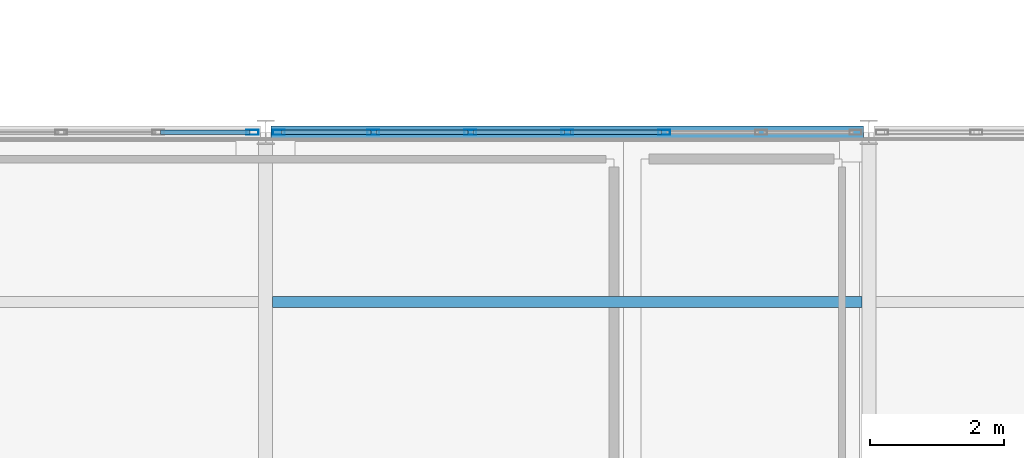
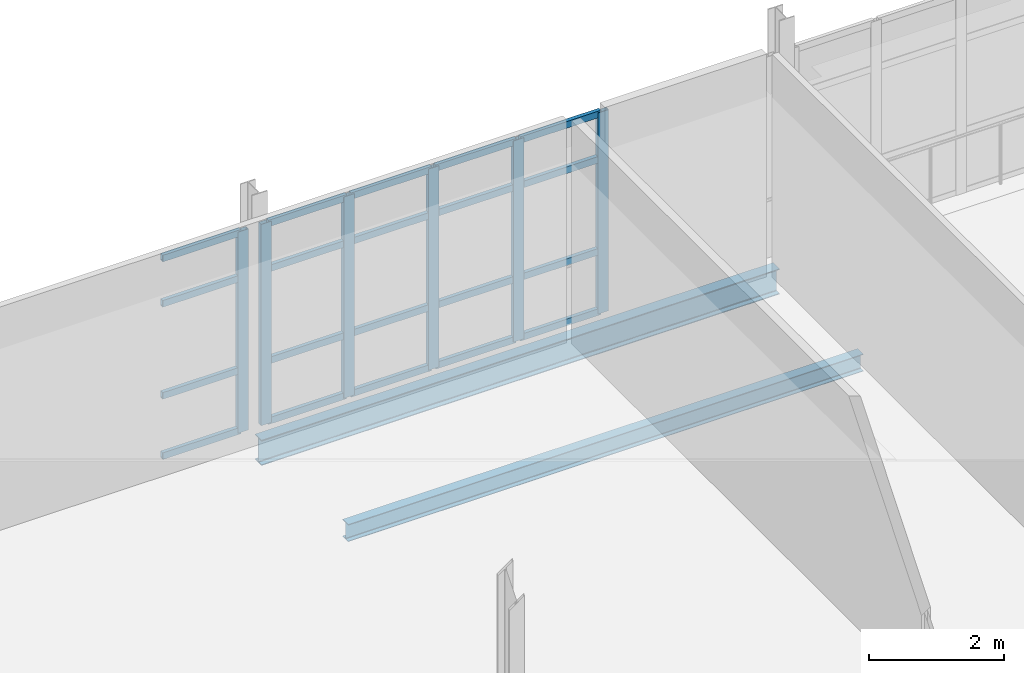
# One storey, part 43 of 174: 26 members, 2 beams, 2 elements without a shape of their own.
"""IFC4 building model written with IfcOpenShell, lengths in metres."""

from ifc_helpers import new_model, si_unit, direction, frame, origin, origin_2d, place, context, subcontext, project, spatial, hollow_rectangle, i_section, extrude, material, material_profile, profile_set, type_object, element, aggregate, save


model = new_model("IFC4")

# Units and contexts
model_context = context("Model", 3, precision=1e-05, world=origin(), true_north=direction((0.0, 1.0)))
body_context = subcontext(model_context, "Body", "Model", "MODEL_VIEW")
ifc_project = project(units=[si_unit("LENGTHUNIT", "METRE"), si_unit("AREAUNIT", "SQUARE_METRE"), si_unit("VOLUMEUNIT", "CUBIC_METRE"), si_unit("PLANEANGLEUNIT", "RADIAN"), si_unit("MASSUNIT", "GRAM", prefix="KILO")], contexts=[model_context])

# Site, building, storey
site_placement = place(None, origin())
site = spatial("IfcSite", under=ifc_project, at=site_placement, CompositionType="ELEMENT")
building_placement = place(site_placement, origin())
building = spatial("IfcBuilding", under=site, at=building_placement, Name="Caisbarro Railhouse Central Library", CompositionType="ELEMENT")
storey_placement = place(building_placement, frame((0.0, 0.0, 5.0400390625)))
storey = spatial("IfcBuildingStorey", under=building, at=storey_placement, Name="L01", CompositionType="ELEMENT", Elevation=5.0400390625)

# Beams
ifc_material_1 = material(Name="Steel ASTM A572 Grade 50", Category="steel")
ifc_material_profile_1 = material_profile(ifc_material_1, i_section(OverallWidth=0.1650390625, OverallDepth=0.31005859375, WebThickness=0.005859375, FlangeThickness=0.009765625, FilletRadius=0.011962890625, at=origin_2d()), Name="W310X38.7")
ifc_profile_set_1 = profile_set([ifc_material_profile_1], Name="Steel ASTM A572 Grade 50")
beam_type_1 = type_object("IfcBeamType", Name="BM-J03", PredefinedType="JOIST", material=ifc_profile_set_1)
beam_1_placement = place(storey_placement, frame((9.1044921875, 58.2666015625, -0.375), z_axis=(1.0, 0.0, 0.0), x_axis=(0.0, 1.0, 0.0)))
element("IfcBeam", 1, at=beam_1_placement, inside=storey, type_object=beam_type_1, Name="J03 beam L01 #870", PredefinedType="JOIST", context=body_context, shape_type="SweptSolid", body=[
    extrude(i_section(OverallWidth=0.1650390625, OverallDepth=0.31005859375, WebThickness=0.005859375, FlangeThickness=0.009765625, FilletRadius=0.011962890625, at=origin_2d()), origin(), (0.0, 0.0, 1.0), 8.791015625),
])
ifc_material_profile_2 = material_profile(ifc_material_1, i_section(OverallWidth=0.18994140625, OverallDepth=0.45703125, WebThickness=0.009033203125, FlangeThickness=0.014404296875, FilletRadius=0.01806640625, at=origin_2d()), Name="W460X74.0")
ifc_profile_set_2 = profile_set([ifc_material_profile_2], Name="Steel ASTM A572 Grade 50")
beam_type_2 = type_object("IfcBeamType", Name="BM-SP01", PredefinedType="SPANDREL", material=ifc_profile_set_2)
beam_2_placement = place(storey_placement, frame((9.080078125, 60.800048828125, -0.448486328125), z_axis=(1.0, 0.0, 0.0), x_axis=(0.0, 1.0, 0.0)))
element("IfcBeam", 2, at=beam_2_placement, inside=storey, type_object=beam_type_2, Name="SP01 beam L01 #818", PredefinedType="SPANDREL", context=body_context, shape_type="SweptSolid", body=[
    extrude(i_section(OverallWidth=0.18994140625, OverallDepth=0.45703125, WebThickness=0.009033203125, FlangeThickness=0.014404296875, FilletRadius=0.01806640625, at=origin_2d()), origin(), (0.0, 0.0, 1.0), 8.83984375),
])

# Curtain wall, member
ifc_material_2 = material(Name="Anodised architectural aluminium", Category="aluminium")
curtain_wall_type = type_object("IfcCurtainWallType", Name="CW-CW02", PredefinedType="NOTDEFINED", material=ifc_material_2)
curtain_wall_1_placement = place(storey_placement, origin())
curtain_wall_1 = element("IfcCurtainWall", 3, at=curtain_wall_1_placement, inside=storey, type_object=curtain_wall_type, Name="CW02 curtain wall L01 #2", PredefinedType="NOTDEFINED")
ifc_material_profile_3 = material_profile(ifc_material_2, hollow_rectangle(XDim=0.074951171875, YDim=0.179931640625, WallThickness=0.00439453125, at=origin_2d()), Name="ALU-MUL-75X180")
ifc_profile_set_3 = profile_set([ifc_material_profile_3], Name="Anodised architectural aluminium")
member_type_1 = type_object("IfcMemberType", Name="CWM-M01", PredefinedType="MULLION", material=ifc_profile_set_3)
member_1_placement = place(storey_placement, frame((8.802490234375, 60.800048828125, 0.0), z_axis=(0.0, 0.0, 1.0), x_axis=(0.0, 1.0, 0.0)))
member_1 = element("IfcMember", 4, at=member_1_placement, type_object=member_type_1, Name="CW02 mullion 7", PredefinedType="MULLION", context=body_context, shape_type="SweptSolid", body=[
    extrude(hollow_rectangle(XDim=0.074951171875, YDim=0.179931640625, WallThickness=0.00439453125, at=origin_2d()), origin(), (0.0, 0.0, 1.0), 3.6298828125),
])

# Curtain wall, members
curtain_wall_2_placement = place(storey_placement, origin())
curtain_wall_2 = element("IfcCurtainWall", 5, at=curtain_wall_2_placement, inside=storey, type_object=curtain_wall_type, Name="CW02 curtain wall L01 #4", PredefinedType="NOTDEFINED")
member_2_placement = place(storey_placement, frame((9.197509765625, 60.800048828125, 0.0), z_axis=(0.0, 0.0, 1.0), x_axis=(0.0, 1.0, 0.0)))
member_2 = element("IfcMember", 6, at=member_2_placement, type_object=member_type_1, Name="CW02 mullion 1", PredefinedType="MULLION", context=body_context, shape_type="SweptSolid", body=[
    extrude(hollow_rectangle(XDim=0.074951171875, YDim=0.179931640625, WallThickness=0.00439453125, at=origin_2d()), origin(), (0.0, 0.0, 1.0), 3.6298828125),
])
member_3_placement = place(storey_placement, frame((10.606689453125, 60.800048828125, 0.0), z_axis=(0.0, 0.0, 1.0), x_axis=(0.0, 1.0, 0.0)))
member_3 = element("IfcMember", 7, at=member_3_placement, type_object=member_type_1, Name="CW02 mullion 2", PredefinedType="MULLION", context=body_context, shape_type="SweptSolid", body=[
    extrude(hollow_rectangle(XDim=0.074951171875, YDim=0.179931640625, WallThickness=0.00439453125, at=origin_2d()), origin(), (0.0, 0.0, 1.0), 3.6298828125),
])
member_4_placement = place(storey_placement, frame((12.05322265625, 60.800048828125, 0.0), z_axis=(0.0, 0.0, 1.0), x_axis=(0.0, 1.0, 0.0)))
member_4 = element("IfcMember", 8, at=member_4_placement, type_object=member_type_1, Name="CW02 mullion 3", PredefinedType="MULLION", context=body_context, shape_type="SweptSolid", body=[
    extrude(hollow_rectangle(XDim=0.074951171875, YDim=0.179931640625, WallThickness=0.00439453125, at=origin_2d()), origin(), (0.0, 0.0, 1.0), 3.6298828125),
])
member_5_placement = place(storey_placement, frame((13.5, 60.800048828125, 0.0), z_axis=(0.0, 0.0, 1.0), x_axis=(0.0, 1.0, 0.0)))
member_5 = element("IfcMember", 9, at=member_5_placement, type_object=member_type_1, Name="CW02 mullion 4", PredefinedType="MULLION", context=body_context, shape_type="SweptSolid", body=[
    extrude(hollow_rectangle(XDim=0.074951171875, YDim=0.179931640625, WallThickness=0.00439453125, at=origin_2d()), origin(), (0.0, 0.0, 1.0), 3.6298828125),
])
member_6_placement = place(storey_placement, frame((14.94677734375, 60.800048828125, 0.0), z_axis=(0.0, 0.0, 1.0), x_axis=(0.0, 1.0, 0.0)))
member_6 = element("IfcMember", 10, at=member_6_placement, type_object=member_type_1, Name="CW02 mullion 5", PredefinedType="MULLION", context=body_context, shape_type="SweptSolid", body=[
    extrude(hollow_rectangle(XDim=0.074951171875, YDim=0.179931640625, WallThickness=0.00439453125, at=origin_2d()), origin(), (0.0, 0.0, 1.0), 3.6298828125),
])

# Member
ifc_material_profile_4 = material_profile(ifc_material_2, hollow_rectangle(XDim=0.06494140625, YDim=0.1201171875, WallThickness=0.00341796875, at=origin_2d()), Name="ALU-TRN-65X120")
ifc_profile_set_4 = profile_set([ifc_material_profile_4], Name="Anodised architectural aluminium")
member_type_2 = type_object("IfcMemberType", Name="CWT-T02", PredefinedType="USERDEFINED", material=ifc_profile_set_4)
member_7_placement = place(storey_placement, frame((7.430908203125, 60.800048828125, 0.032470703125), z_axis=(1.0, 0.0, 0.0), x_axis=(0.0, 1.0, 0.0)))
member_7 = element("IfcMember", 11, at=member_7_placement, type_object=member_type_2, Name="CW02 transom 6.1", ObjectType="TRANSOM", PredefinedType="USERDEFINED", context=body_context, shape_type="SweptSolid", body=[
    extrude(hollow_rectangle(XDim=0.06494140625, YDim=0.1201171875, WallThickness=0.00341796875, at=origin_2d()), origin(), (0.0, 0.0, 1.0), 1.333984375),
])

member_8_placement = place(storey_placement, frame((7.430908203125, 60.800048828125, 1.119873046875), z_axis=(1.0, 0.0, 0.0), x_axis=(0.0, 1.0, 0.0)))
member_8 = element("IfcMember", 12, at=member_8_placement, type_object=member_type_2, Name="CW02 transom 6.2", ObjectType="TRANSOM", PredefinedType="USERDEFINED", context=body_context, shape_type="SweptSolid", body=[
    extrude(hollow_rectangle(XDim=0.06494140625, YDim=0.1201171875, WallThickness=0.00341796875, at=origin_2d()), origin(), (0.0, 0.0, 1.0), 1.333984375),
])

member_9_placement = place(storey_placement, frame((7.430908203125, 60.800048828125, 2.780029296875), z_axis=(1.0, 0.0, 0.0), x_axis=(0.0, 1.0, 0.0)))
member_9 = element("IfcMember", 13, at=member_9_placement, type_object=member_type_2, Name="CW02 transom 6.3", ObjectType="TRANSOM", PredefinedType="USERDEFINED", context=body_context, shape_type="SweptSolid", body=[
    extrude(hollow_rectangle(XDim=0.06494140625, YDim=0.1201171875, WallThickness=0.00341796875, at=origin_2d()), origin(), (0.0, 0.0, 1.0), 1.333984375),
])

member_10_placement = place(storey_placement, frame((7.430908203125, 60.800048828125, 3.597412109375), z_axis=(1.0, 0.0, 0.0), x_axis=(0.0, 1.0, 0.0)))
member_10 = element("IfcMember", 14, at=member_10_placement, type_object=member_type_2, Name="CW02 transom 6.4", ObjectType="TRANSOM", PredefinedType="USERDEFINED", context=body_context, shape_type="SweptSolid", body=[
    extrude(hollow_rectangle(XDim=0.06494140625, YDim=0.1201171875, WallThickness=0.00341796875, at=origin_2d()), origin(), (0.0, 0.0, 1.0), 1.333984375),
])

aggregate(curtain_wall_1, [member_1, member_7, member_8, member_9, member_10])

member_11_placement = place(storey_placement, frame((9.235107421875, 60.800048828125, 0.032470703125), z_axis=(1.0, 0.0, 0.0), x_axis=(0.0, 1.0, 0.0)))
member_11 = element("IfcMember", 15, at=member_11_placement, type_object=member_type_2, Name="CW02 transom 1.1", ObjectType="TRANSOM", PredefinedType="USERDEFINED", context=body_context, shape_type="SweptSolid", body=[
    extrude(hollow_rectangle(XDim=0.06494140625, YDim=0.1201171875, WallThickness=0.00341796875, at=origin_2d()), origin(), (0.0, 0.0, 1.0), 1.333984375),
])

member_12_placement = place(storey_placement, frame((9.235107421875, 60.800048828125, 1.119873046875), z_axis=(1.0, 0.0, 0.0), x_axis=(0.0, 1.0, 0.0)))
member_12 = element("IfcMember", 16, at=member_12_placement, type_object=member_type_2, Name="CW02 transom 1.2", ObjectType="TRANSOM", PredefinedType="USERDEFINED", context=body_context, shape_type="SweptSolid", body=[
    extrude(hollow_rectangle(XDim=0.06494140625, YDim=0.1201171875, WallThickness=0.00341796875, at=origin_2d()), origin(), (0.0, 0.0, 1.0), 1.333984375),
])

member_13_placement = place(storey_placement, frame((9.235107421875, 60.800048828125, 2.780029296875), z_axis=(1.0, 0.0, 0.0), x_axis=(0.0, 1.0, 0.0)))
member_13 = element("IfcMember", 17, at=member_13_placement, type_object=member_type_2, Name="CW02 transom 1.3", ObjectType="TRANSOM", PredefinedType="USERDEFINED", context=body_context, shape_type="SweptSolid", body=[
    extrude(hollow_rectangle(XDim=0.06494140625, YDim=0.1201171875, WallThickness=0.00341796875, at=origin_2d()), origin(), (0.0, 0.0, 1.0), 1.333984375),
])

member_14_placement = place(storey_placement, frame((9.235107421875, 60.800048828125, 3.597412109375), z_axis=(1.0, 0.0, 0.0), x_axis=(0.0, 1.0, 0.0)))
member_14 = element("IfcMember", 18, at=member_14_placement, type_object=member_type_2, Name="CW02 transom 1.4", ObjectType="TRANSOM", PredefinedType="USERDEFINED", context=body_context, shape_type="SweptSolid", body=[
    extrude(hollow_rectangle(XDim=0.06494140625, YDim=0.1201171875, WallThickness=0.00341796875, at=origin_2d()), origin(), (0.0, 0.0, 1.0), 1.333984375),
])

member_15_placement = place(storey_placement, frame((10.644287109375, 60.800048828125, 0.032470703125), z_axis=(1.0, 0.0, 0.0), x_axis=(0.0, 1.0, 0.0)))
member_15 = element("IfcMember", 19, at=member_15_placement, type_object=member_type_2, Name="CW02 transom 2.1", ObjectType="TRANSOM", PredefinedType="USERDEFINED", context=body_context, shape_type="SweptSolid", body=[
    extrude(hollow_rectangle(XDim=0.06494140625, YDim=0.1201171875, WallThickness=0.00341796875, at=origin_2d()), origin(), (0.0, 0.0, 1.0), 1.37158203125),
])

member_16_placement = place(storey_placement, frame((10.644287109375, 60.800048828125, 1.119873046875), z_axis=(1.0, 0.0, 0.0), x_axis=(0.0, 1.0, 0.0)))
member_16 = element("IfcMember", 20, at=member_16_placement, type_object=member_type_2, Name="CW02 transom 2.2", ObjectType="TRANSOM", PredefinedType="USERDEFINED", context=body_context, shape_type="SweptSolid", body=[
    extrude(hollow_rectangle(XDim=0.06494140625, YDim=0.1201171875, WallThickness=0.00341796875, at=origin_2d()), origin(), (0.0, 0.0, 1.0), 1.37158203125),
])

member_17_placement = place(storey_placement, frame((10.644287109375, 60.800048828125, 2.780029296875), z_axis=(1.0, 0.0, 0.0), x_axis=(0.0, 1.0, 0.0)))
member_17 = element("IfcMember", 21, at=member_17_placement, type_object=member_type_2, Name="CW02 transom 2.3", ObjectType="TRANSOM", PredefinedType="USERDEFINED", context=body_context, shape_type="SweptSolid", body=[
    extrude(hollow_rectangle(XDim=0.06494140625, YDim=0.1201171875, WallThickness=0.00341796875, at=origin_2d()), origin(), (0.0, 0.0, 1.0), 1.37158203125),
])

member_18_placement = place(storey_placement, frame((10.644287109375, 60.800048828125, 3.597412109375), z_axis=(1.0, 0.0, 0.0), x_axis=(0.0, 1.0, 0.0)))
member_18 = element("IfcMember", 22, at=member_18_placement, type_object=member_type_2, Name="CW02 transom 2.4", ObjectType="TRANSOM", PredefinedType="USERDEFINED", context=body_context, shape_type="SweptSolid", body=[
    extrude(hollow_rectangle(XDim=0.06494140625, YDim=0.1201171875, WallThickness=0.00341796875, at=origin_2d()), origin(), (0.0, 0.0, 1.0), 1.37158203125),
])

member_19_placement = place(storey_placement, frame((12.0908203125, 60.800048828125, 0.032470703125), z_axis=(1.0, 0.0, 0.0), x_axis=(0.0, 1.0, 0.0)))
member_19 = element("IfcMember", 23, at=member_19_placement, type_object=member_type_2, Name="CW02 transom 3.1", ObjectType="TRANSOM", PredefinedType="USERDEFINED", context=body_context, shape_type="SweptSolid", body=[
    extrude(hollow_rectangle(XDim=0.06494140625, YDim=0.1201171875, WallThickness=0.00341796875, at=origin_2d()), origin(), (0.0, 0.0, 1.0), 1.37158203125),
])

member_20_placement = place(storey_placement, frame((12.0908203125, 60.800048828125, 1.119873046875), z_axis=(1.0, 0.0, 0.0), x_axis=(0.0, 1.0, 0.0)))
member_20 = element("IfcMember", 24, at=member_20_placement, type_object=member_type_2, Name="CW02 transom 3.2", ObjectType="TRANSOM", PredefinedType="USERDEFINED", context=body_context, shape_type="SweptSolid", body=[
    extrude(hollow_rectangle(XDim=0.06494140625, YDim=0.1201171875, WallThickness=0.00341796875, at=origin_2d()), origin(), (0.0, 0.0, 1.0), 1.37158203125),
])

member_21_placement = place(storey_placement, frame((12.0908203125, 60.800048828125, 2.780029296875), z_axis=(1.0, 0.0, 0.0), x_axis=(0.0, 1.0, 0.0)))
member_21 = element("IfcMember", 25, at=member_21_placement, type_object=member_type_2, Name="CW02 transom 3.3", ObjectType="TRANSOM", PredefinedType="USERDEFINED", context=body_context, shape_type="SweptSolid", body=[
    extrude(hollow_rectangle(XDim=0.06494140625, YDim=0.1201171875, WallThickness=0.00341796875, at=origin_2d()), origin(), (0.0, 0.0, 1.0), 1.37158203125),
])

member_22_placement = place(storey_placement, frame((12.0908203125, 60.800048828125, 3.597412109375), z_axis=(1.0, 0.0, 0.0), x_axis=(0.0, 1.0, 0.0)))
member_22 = element("IfcMember", 26, at=member_22_placement, type_object=member_type_2, Name="CW02 transom 3.4", ObjectType="TRANSOM", PredefinedType="USERDEFINED", context=body_context, shape_type="SweptSolid", body=[
    extrude(hollow_rectangle(XDim=0.06494140625, YDim=0.1201171875, WallThickness=0.00341796875, at=origin_2d()), origin(), (0.0, 0.0, 1.0), 1.37158203125),
])

member_23_placement = place(storey_placement, frame((13.53759765625, 60.800048828125, 0.032470703125), z_axis=(1.0, 0.0, 0.0), x_axis=(0.0, 1.0, 0.0)))
member_23 = element("IfcMember", 27, at=member_23_placement, type_object=member_type_2, Name="CW02 transom 4.1", ObjectType="TRANSOM", PredefinedType="USERDEFINED", context=body_context, shape_type="SweptSolid", body=[
    extrude(hollow_rectangle(XDim=0.06494140625, YDim=0.1201171875, WallThickness=0.00341796875, at=origin_2d()), origin(), (0.0, 0.0, 1.0), 1.37158203125),
])

member_24_placement = place(storey_placement, frame((13.53759765625, 60.800048828125, 1.119873046875), z_axis=(1.0, 0.0, 0.0), x_axis=(0.0, 1.0, 0.0)))
member_24 = element("IfcMember", 28, at=member_24_placement, type_object=member_type_2, Name="CW02 transom 4.2", ObjectType="TRANSOM", PredefinedType="USERDEFINED", context=body_context, shape_type="SweptSolid", body=[
    extrude(hollow_rectangle(XDim=0.06494140625, YDim=0.1201171875, WallThickness=0.00341796875, at=origin_2d()), origin(), (0.0, 0.0, 1.0), 1.37158203125),
])

member_25_placement = place(storey_placement, frame((13.53759765625, 60.800048828125, 2.780029296875), z_axis=(1.0, 0.0, 0.0), x_axis=(0.0, 1.0, 0.0)))
member_25 = element("IfcMember", 29, at=member_25_placement, type_object=member_type_2, Name="CW02 transom 4.3", ObjectType="TRANSOM", PredefinedType="USERDEFINED", context=body_context, shape_type="SweptSolid", body=[
    extrude(hollow_rectangle(XDim=0.06494140625, YDim=0.1201171875, WallThickness=0.00341796875, at=origin_2d()), origin(), (0.0, 0.0, 1.0), 1.37158203125),
])

member_26_placement = place(storey_placement, frame((13.53759765625, 60.800048828125, 3.597412109375), z_axis=(1.0, 0.0, 0.0), x_axis=(0.0, 1.0, 0.0)))
member_26 = element("IfcMember", 30, at=member_26_placement, type_object=member_type_2, Name="CW02 transom 4.4", ObjectType="TRANSOM", PredefinedType="USERDEFINED", context=body_context, shape_type="SweptSolid", body=[
    extrude(hollow_rectangle(XDim=0.06494140625, YDim=0.1201171875, WallThickness=0.00341796875, at=origin_2d()), origin(), (0.0, 0.0, 1.0), 1.37158203125),
])

aggregate(curtain_wall_2, [member_2, member_3, member_4, member_5, member_6, member_11, member_12, member_13, member_14, member_15, member_16, member_17, member_18, member_19, member_20, member_21, member_22, member_23, member_24, member_25, member_26])

save(model, "model.ifc")
